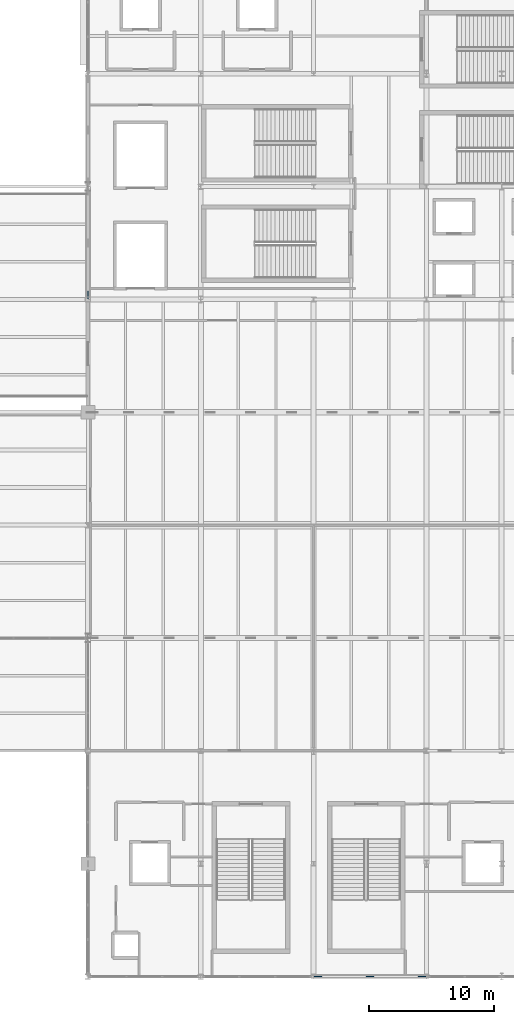
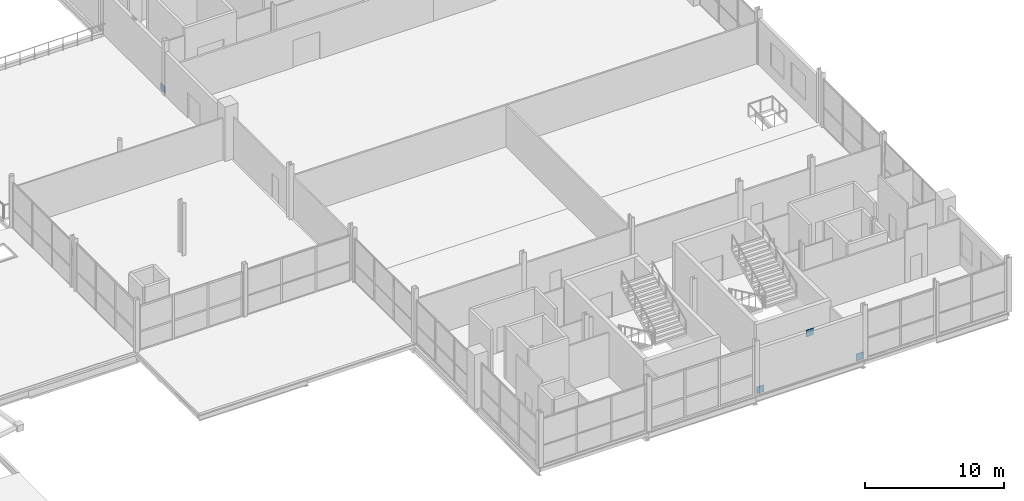
# One storey, part 47 of 69: 4 plates.
"""IFC4 building model written with IfcOpenShell, lengths in metres."""

from ifc_helpers import new_model, si_unit, direction, frame, origin, origin_2d, place, context, subcontext, project, spatial, rectangle, extrude, material, layer, layer_set, type_object, element, save


model = new_model("IFC4")

# Units and contexts
model_context = context("Model", 3, precision=1e-05, world=origin(), true_north=direction((0.0, 1.0)))
body_context = subcontext(model_context, "Body", "Model", "MODEL_VIEW")
ifc_project = project(units=[si_unit("LENGTHUNIT", "METRE"), si_unit("AREAUNIT", "SQUARE_METRE"), si_unit("VOLUMEUNIT", "CUBIC_METRE"), si_unit("PLANEANGLEUNIT", "RADIAN"), si_unit("MASSUNIT", "GRAM", prefix="KILO")], contexts=[model_context])

# Site, building, storey
site_placement = place(None, origin())
site = spatial("IfcSite", under=ifc_project, at=site_placement, CompositionType="ELEMENT")
building_placement = place(site_placement, origin())
building = spatial("IfcBuilding", under=site, at=building_placement, Name="Qamarlyn Nura Convention Centre", CompositionType="ELEMENT")
storey_placement = place(building_placement, frame((0.0, 0.0, 15.60009765625)))
storey = spatial("IfcBuildingStorey", under=building, at=storey_placement, Name="L03", CompositionType="ELEMENT", Elevation=15.60009765625)

# Plates
ifc_material = material(Name="Structural steel ASTM A572 Grade 50", Category="steel")
ifc_layer = layer(ifc_material, 0.044921875, Name="GP-TN1")
ifc_layer_set = layer_set([ifc_layer], Name="Structural steel ASTM A572 Grade 50")
plate_type = type_object("IfcPlateType", Name="GP-TN1", PredefinedType="USERDEFINED", material=ifc_layer_set)
for number, where, z_axis, x_axis, name in (
    (1, (171.360107421875, 0.0, -0.000244140625), (0.0, 0.0, 1.0), (1.0, 0.0, 0.0), "SCBF chevron brace gusset plate CBF-E1-L03-A"),
    (2, (179.639892578125, 0.0, -0.000244140625), (0.0, 0.0, 1.0), (1.0, 0.0, 0.0), "SCBF chevron brace gusset plate CBF-E1-L03-B"),
    (3, (175.5, 0.0, 3.560791015625), (0.0, 0.0, 1.0), (1.0, 0.0, 0.0), "SCBF chevron brace gusset plate CBF-E1-L03-M"),
    (4, (153.0, 54.360107421875, -0.000244140625), (0.0, 0.0, 1.0), (0.0, 1.0, 0.0), "SCBF chevron brace gusset plate CBF-E3-L03-A"),
):
    element("IfcPlate", number, at=place(storey_placement, frame(where, z_axis=z_axis, x_axis=x_axis)), inside=storey, type_object=plate_type, Name=name, ObjectType="GUSSET PLATE", PredefinedType="USERDEFINED", context=body_context, shape_type="SweptSolid", body=[
        extrude(rectangle(XDim=0.60009765625, YDim=0.044921875, at=origin_2d()), origin(), (0.0, 0.0, 1.0), 0.60009765625),
    ])

save(model, "model.ifc")
